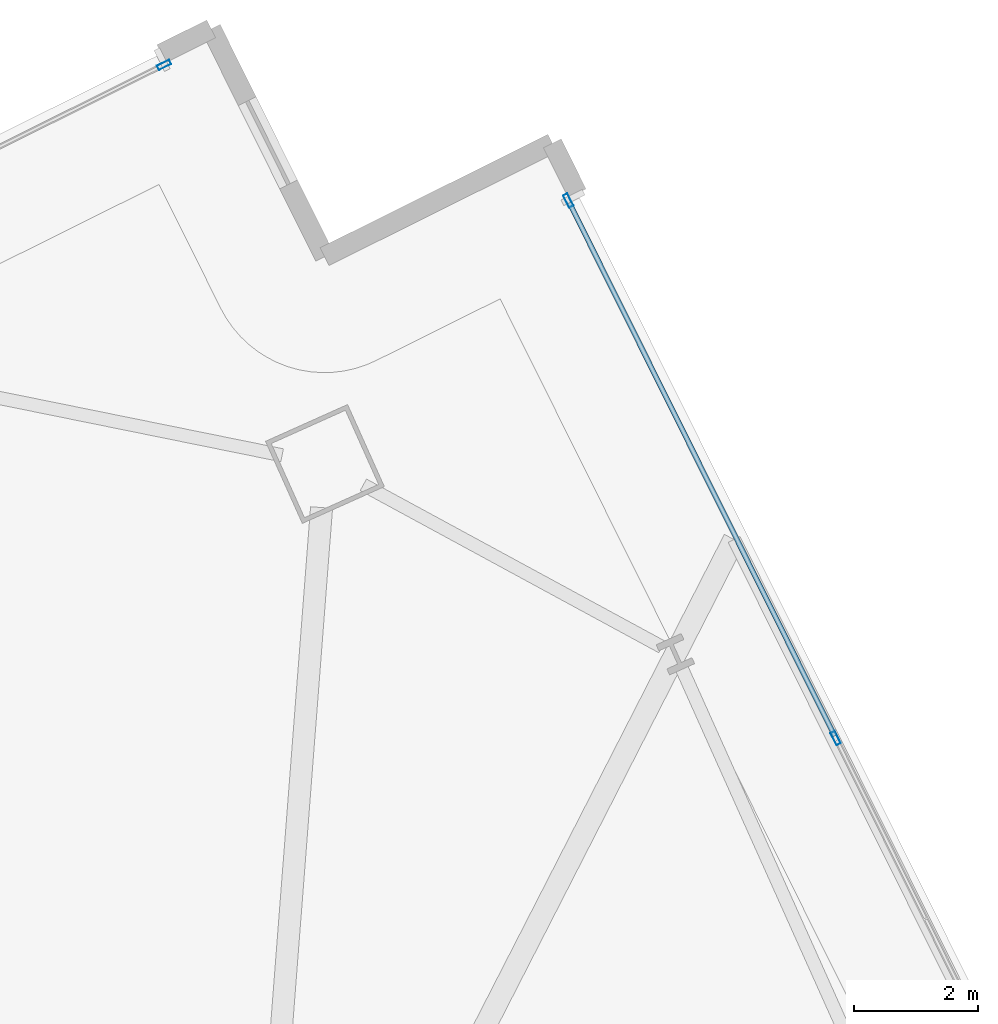
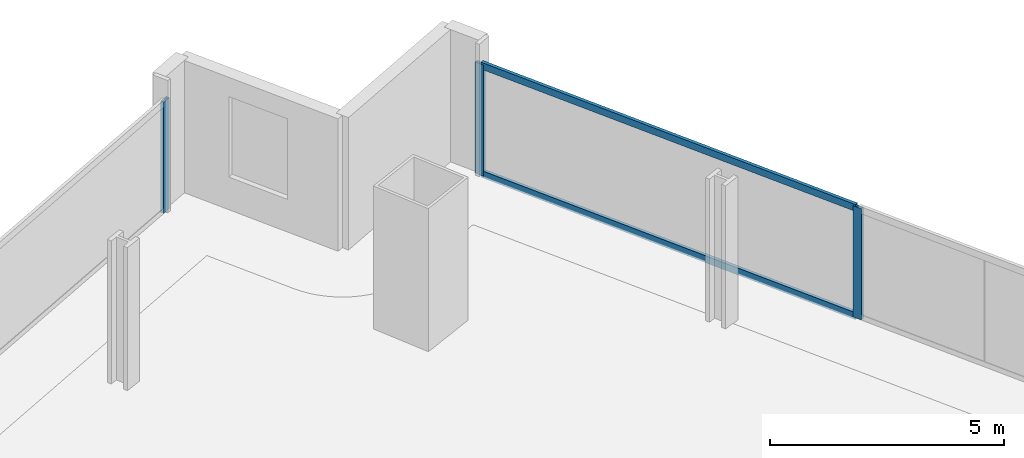
# One storey, part 22 of 35: 5 members, 2 elements without a shape of their own.
"""IFC4 building model written with IfcOpenShell, lengths in metres."""

from ifc_helpers import new_model, si_unit, direction, frame, origin, origin_2d, place, context, subcontext, project, spatial, hollow_rectangle, extrude, material, material_profile, profile_set, type_object, element, aggregate, save


model = new_model("IFC4")

# Units and contexts
model_context = context("Model", 3, precision=1e-05, world=origin(), true_north=direction((0.0, 1.0)))
body_context = subcontext(model_context, "Body", "Model", "MODEL_VIEW")
ifc_project = project(units=[si_unit("LENGTHUNIT", "METRE"), si_unit("AREAUNIT", "SQUARE_METRE"), si_unit("VOLUMEUNIT", "CUBIC_METRE"), si_unit("PLANEANGLEUNIT", "RADIAN"), si_unit("MASSUNIT", "GRAM", prefix="KILO")], contexts=[model_context])

# Site, building, storey
site_placement = place(None, origin())
site = spatial("IfcSite", under=ifc_project, at=site_placement, CompositionType="ELEMENT")
building_placement = place(site_placement, origin())
building = spatial("IfcBuilding", under=site, at=building_placement, Name="Haldenkirk Collegiate Tower", CompositionType="ELEMENT")
storey_placement = place(building_placement, frame((0.0, 0.0, 116.699951171875)))
storey = spatial("IfcBuildingStorey", under=building, at=storey_placement, Name="L28", CompositionType="ELEMENT", Elevation=116.699951171875)

# Curtain wall, members
ifc_material = material(Name="Anodised architectural bronze aluminium", Category="aluminium")
curtain_wall_type = type_object("IfcCurtainWallType", Name="CW-SYS1-CONVEX-LOW", PredefinedType="USERDEFINED", material=ifc_material)
curtain_wall_1_placement = place(storey_placement, origin())
curtain_wall_1 = element("IfcCurtainWall", 1, at=curtain_wall_1_placement, inside=storey, type_object=curtain_wall_type, Name="L28 Lower tower convex bronze-framed unitised curtain wall", ObjectType="UNITISED CURTAIN WALL", PredefinedType="USERDEFINED")
ifc_material_profile_1 = material_profile(ifc_material, hollow_rectangle(XDim=0.080078125, YDim=0.219970703125, WallThickness=0.0048828125, at=origin_2d()), Name="CW-MUL-1A")
ifc_profile_set_1 = profile_set([ifc_material_profile_1], Name="Anodised architectural bronze aluminium")
member_type_1 = type_object("IfcMemberType", Name="CW-MUL-1A", PredefinedType="MULLION", material=ifc_profile_set_1)
member_1_placement = place(storey_placement, frame((50.203369140625, 54.85693359375, 0.0), z_axis=(0.0, 0.0, 1.0), x_axis=(0.895323653183, 0.445416160519, 0.0)))
member_1 = element("IfcMember", 2, at=member_1_placement, type_object=member_type_1, Name="CW-1A mullion 1", PredefinedType="MULLION", context=body_context, shape_type="SweptSolid", body=[
    extrude(hollow_rectangle(XDim=0.080078125, YDim=0.219970703125, WallThickness=0.0048828125, at=origin_2d()), origin(), (0.0, 0.0, 1.0), 2.901123046875),
])
member_2_placement = place(storey_placement, frame((54.514404296875, 46.19140625, 0.0), z_axis=(0.0, 0.0, 1.0), x_axis=(0.895323653183, 0.445416160519, 0.0)))
member_2 = element("IfcMember", 3, at=member_2_placement, type_object=member_type_1, Name="CW-1A mullion 2", PredefinedType="MULLION", context=body_context, shape_type="SweptSolid", body=[
    extrude(hollow_rectangle(XDim=0.080078125, YDim=0.219970703125, WallThickness=0.0048828125, at=origin_2d()), origin(), (0.0, 0.0, 1.0), 2.901123046875),
])

# Curtain wall, member
curtain_wall_2_placement = place(storey_placement, origin())
curtain_wall_2 = element("IfcCurtainWall", 4, at=curtain_wall_2_placement, inside=storey, type_object=curtain_wall_type, Name="L28 Lower tower convex bronze-framed unitised curtain wall", ObjectType="UNITISED CURTAIN WALL", PredefinedType="USERDEFINED")
member_3_placement = place(storey_placement, frame((43.6875, 57.043701171875, 0.0), z_axis=(0.0, 0.0, 1.0), x_axis=(-0.445417030937, 0.895323220156, 0.0)))
member_3 = element("IfcMember", 5, at=member_3_placement, type_object=member_type_1, Name="CW-1A mullion 5", PredefinedType="MULLION", context=body_context, shape_type="SweptSolid", body=[
    extrude(hollow_rectangle(XDim=0.080078125, YDim=0.219970703125, WallThickness=0.0048828125, at=origin_2d()), origin(), (0.0, 0.0, 1.0), 2.901123046875),
])
aggregate(curtain_wall_2, [member_3])

# Member
ifc_material_profile_2 = material_profile(ifc_material, hollow_rectangle(XDim=0.080078125, YDim=0.179931640625, WallThickness=0.0048828125, at=origin_2d()), Name="CW-TRN-1A")
ifc_profile_set_2 = profile_set([ifc_material_profile_2], Name="Anodised architectural bronze aluminium")
member_type_2 = type_object("IfcMemberType", Name="CW-TRN-1A", PredefinedType="USERDEFINED", material=ifc_profile_set_2)
member_4_placement = place(storey_placement, frame((50.22119140625, 54.8212890625, 0.0400390625), z_axis=(0.445411914583, -0.895325765488, 0.0), x_axis=(0.895325765488, 0.445411914583, 0.0)))
member_4 = element("IfcMember", 6, at=member_4_placement, type_object=member_type_2, Name="CW-1A transom 1.1", ObjectType="TRANSOM", PredefinedType="USERDEFINED", context=body_context, shape_type="SweptSolid", body=[
    extrude(hollow_rectangle(XDim=0.080078125, YDim=0.179931640625, WallThickness=0.0048828125, at=origin_2d()), origin(), (0.0, 0.0, 1.0), 9.5986328125),
])

member_5_placement = place(storey_placement, frame((50.22119140625, 54.8212890625, 2.861083984375), z_axis=(0.445411914583, -0.895325765488, 0.0), x_axis=(0.895325765488, 0.445411914583, 0.0)))
member_5 = element("IfcMember", 7, at=member_5_placement, type_object=member_type_2, Name="CW-1A transom 1.2", ObjectType="TRANSOM", PredefinedType="USERDEFINED", context=body_context, shape_type="SweptSolid", body=[
    extrude(hollow_rectangle(XDim=0.080078125, YDim=0.179931640625, WallThickness=0.0048828125, at=origin_2d()), origin(), (0.0, 0.0, 1.0), 9.5986328125),
])

aggregate(curtain_wall_1, [member_1, member_2, member_4, member_5])

save(model, "model.ifc")
